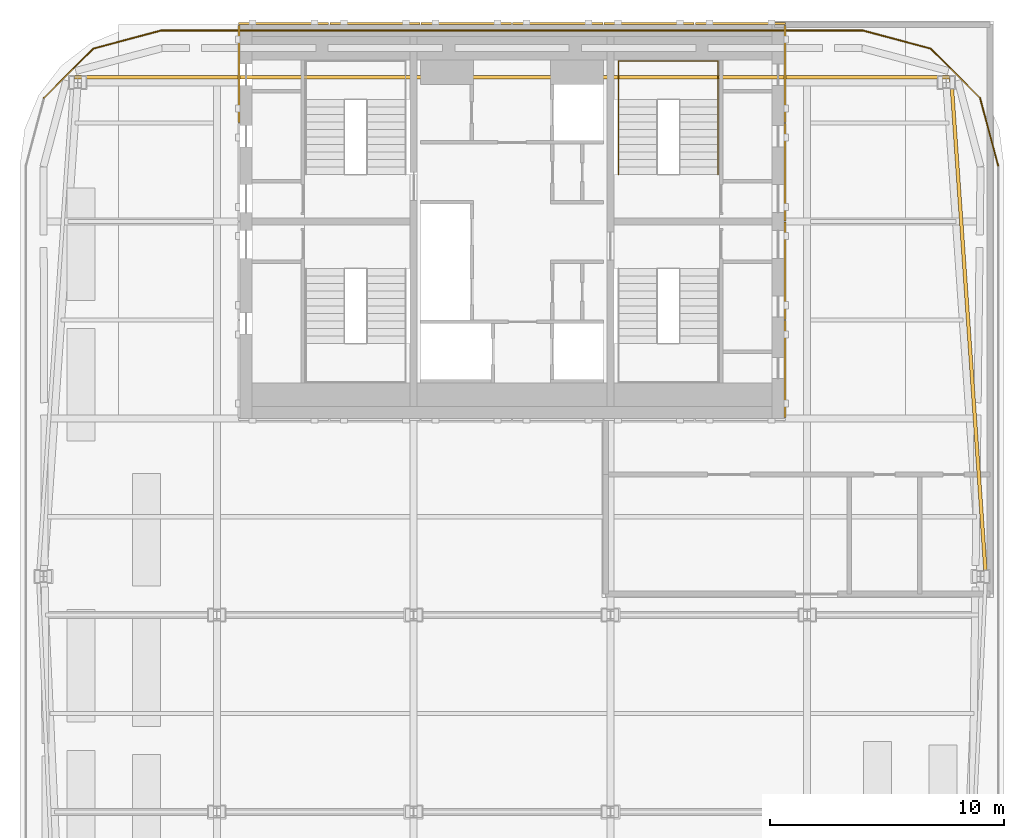
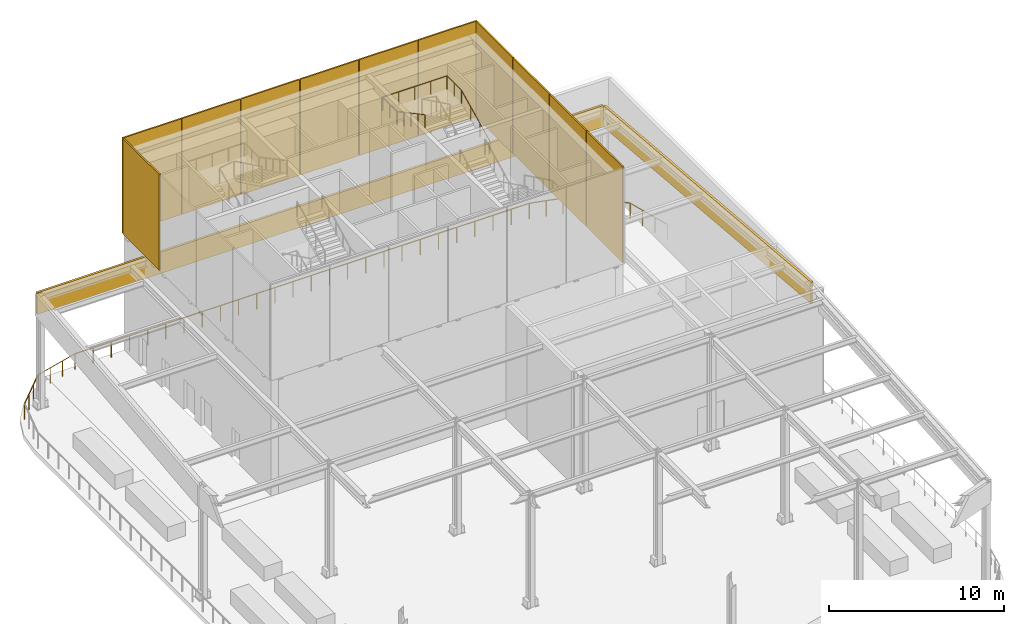
# One storey, part 14 of 14: 11 coverings, 7 railings, 2 shading devices.
"""IFC4 building model written with IfcOpenShell, lengths in metres."""

from ifc_helpers import new_model, si_unit, direction, frame, origin, origin_2d, place, context, subcontext, project, spatial, rectangle, circle, extrude, material, layer, layer_set, type_object, element, save


model = new_model("IFC4")

# Units and contexts
model_context = context("Model", 3, precision=1e-05, world=origin(), true_north=direction((0.0, 1.0)))
body_context = subcontext(model_context, "Body", "Model", "MODEL_VIEW")
ifc_project = project(units=[si_unit("LENGTHUNIT", "METRE"), si_unit("AREAUNIT", "SQUARE_METRE"), si_unit("VOLUMEUNIT", "CUBIC_METRE"), si_unit("PLANEANGLEUNIT", "RADIAN"), si_unit("MASSUNIT", "GRAM", prefix="KILO")], contexts=[model_context])

# Site, building, storey
site_placement = place(None, origin())
site = spatial("IfcSite", under=ifc_project, at=site_placement, CompositionType="ELEMENT")
building_placement = place(site_placement, origin())
building = spatial("IfcBuilding", under=site, at=building_placement, Name="Marenta Gate Hotel Tower", CompositionType="ELEMENT")
storey_placement = place(building_placement, frame((0.0, 0.0, 295.699951171875)))
storey = spatial("IfcBuildingStorey", under=building, at=storey_placement, Name="L67", CompositionType="ELEMENT", Elevation=295.699951171875)

# Railing
ifc_material_1 = material(Name="Stainless steel", Category="steel")
railing_type_1 = type_object("IfcRailingType", Name="Core stair handrail 950", PredefinedType="HANDRAIL", material=ifc_material_1)
railing_1_placement = place(storey_placement, frame((8.800048828125, 10.39990234375, 10.4306640625)))
element("IfcRailing", 1, at=railing_1_placement, inside=storey, type_object=railing_type_1, Name="HR-950 L67-KR-ST4-7", PredefinedType="HANDRAIL", context=body_context, shape_type="SweptSolid", body=[
    extrude(circle(Radius=0.02392578125, at=origin_2d()), frame((0.0, 0.0, 0.92578125), z_axis=(0.0, 0.899231441842, 0.437473215184), x_axis=(-1.0, 0.0, 0.0)), (0.0, 0.0, 1.0), 3.558837890625),
    extrude(circle(Radius=0.02392578125, at=origin_2d()), frame((0.0, 3.2001953125, 2.48291015625), z_axis=(0.0, 1.0, 0.0), x_axis=(-1.0, 0.0, 0.0)), (0.0, 0.0, 1.0), 1.64990234375),
    extrude(circle(Radius=0.02392578125, at=origin_2d()), frame((0.0, 4.85009765625, 2.48291015625), z_axis=(-1.0, 0.0, 0.0), x_axis=(0.0, -1.0, 0.0)), (0.0, 0.0, 1.0), 4.25),
    extrude(circle(Radius=0.02392578125, at=origin_2d()), frame((-4.25, 4.85009765625, 2.48291015625), z_axis=(0.0, -1.0, 0.0), x_axis=(1.0, 0.0, 0.0)), (0.0, 0.0, 1.0), 1.64990234375),
    extrude(circle(Radius=0.02392578125, at=origin_2d()), frame((-4.25, 3.2001953125, 2.48291015625), z_axis=(0.0, -0.881707861185, 0.47179576887), x_axis=(1.0, 0.0, 0.0)), (0.0, 0.0, 1.0), 3.629638671875),
    extrude(circle(Radius=0.02099609375, at=origin_2d()), origin(), (0.0, 0.0, 1.0), 0.90185546875),
    extrude(circle(Radius=0.02099609375, at=origin_2d()), frame((0.0, 1.066650390625, 0.51904296875)), (0.0, 0.0, 1.0), 0.90185546875),
    extrude(circle(Radius=0.02099609375, at=origin_2d()), frame((0.0, 2.133544921875, 1.037841796875)), (0.0, 0.0, 1.0), 0.90185546875),
    extrude(circle(Radius=0.02099609375, at=origin_2d()), frame((0.0, 3.2001953125, 1.556884765625)), (0.0, 0.0, 1.0), 0.90185546875),
    extrude(circle(Radius=0.02099609375, at=origin_2d()), frame((0.0, 4.025146484375, 1.556884765625)), (0.0, 0.0, 1.0), 0.90185546875),
    extrude(circle(Radius=0.02099609375, at=origin_2d()), frame((0.0, 4.85009765625, 1.556884765625)), (0.0, 0.0, 1.0), 0.90185546875),
    extrude(circle(Radius=0.02099609375, at=origin_2d()), frame((-1.0625, 4.85009765625, 1.556884765625)), (0.0, 0.0, 1.0), 0.90185546875),
    extrude(circle(Radius=0.02099609375, at=origin_2d()), frame((-2.125, 4.85009765625, 1.556884765625)), (0.0, 0.0, 1.0), 0.90185546875),
    extrude(circle(Radius=0.02099609375, at=origin_2d()), frame((-3.1875, 4.85009765625, 1.556884765625)), (0.0, 0.0, 1.0), 0.90185546875),
    extrude(circle(Radius=0.02099609375, at=origin_2d()), frame((-4.25, 4.85009765625, 1.556884765625)), (0.0, 0.0, 1.0), 0.90185546875),
    extrude(circle(Radius=0.02099609375, at=origin_2d()), frame((-4.25, 4.025146484375, 1.556884765625)), (0.0, 0.0, 1.0), 0.90185546875),
    extrude(circle(Radius=0.02099609375, at=origin_2d()), frame((-4.25, 3.2001953125, 1.556884765625)), (0.0, 0.0, 1.0), 0.90185546875),
    extrude(circle(Radius=0.02099609375, at=origin_2d()), frame((-4.25, 2.400146484375, 1.98486328125)), (0.0, 0.0, 1.0), 0.90185546875),
    extrude(circle(Radius=0.02099609375, at=origin_2d()), frame((-4.25, 1.60009765625, 2.4130859375)), (0.0, 0.0, 1.0), 0.90185546875),
    extrude(circle(Radius=0.02099609375, at=origin_2d()), frame((-4.25, 0.800048828125, 2.84130859375)), (0.0, 0.0, 1.0), 0.90185546875),
    extrude(circle(Radius=0.02099609375, at=origin_2d()), frame((-4.25, 0.0, 3.269287109375)), (0.0, 0.0, 1.0), 0.90185546875),
])

# Coverings
ifc_material_2 = material(Name="Bronze anodised aluminium louvre", Category="aluminium")
ifc_layer_1 = layer(ifc_material_2, 0.10009765625)
ifc_layer_set_1 = layer_set([ifc_layer_1], Name="Bronze anodised aluminium louvre")
covering_type = type_object("IfcCoveringType", Name="Core top louvre cladding panel 100 mm", PredefinedType="CLADDING", material=ifc_layer_set_1)
for number, where, z_axis, x_axis, name in (
    (2, (11.64990234375, 2.10009765625, 8.1201171875), (0.0, 0.0, 1.0), (1.0, 0.0, 0.0), "Core top louvre cladding"),
    (3, (11.64990234375, 6.300048828125, 8.1201171875), (0.0, 0.0, 1.0), (1.0, 0.0, 0.0), "Core top louvre cladding"),
    (4, (11.64990234375, 10.5, 8.1201171875), (0.0, 0.0, 1.0), (1.0, 0.0, 0.0), "Core top louvre cladding"),
    (5, (11.64990234375, 14.699951171875, 8.1201171875), (0.0, 0.0, 1.0), (1.0, 0.0, 0.0), "Core top louvre cladding"),
    (6, (-11.64990234375, 14.699951171875, 8.1201171875), (0.0, 0.0, 1.0), (1.0, 0.0, 0.0), "Core top louvre cladding"),
):
    element("IfcCovering", number, at=place(storey_placement, frame(where, z_axis=z_axis, x_axis=x_axis)), inside=storey, type_object=covering_type, Name=name, PredefinedType="CLADDING", context=body_context, shape_type="SweptSolid", body=[
        extrude(rectangle(XDim=0.10009765625, YDim=4.14990234375, at=origin_2d()), origin(), (0.0, 0.0, 1.0), 6.679931640625),
    ])
for number, where, z_axis, x_axis, name in (
    (7, (-9.75, 16.85009765625, 8.1201171875), (0.0, 0.0, 1.0), (1.0, 0.0, 0.0), "Core top louvre cladding"),
    (8, (-5.85009765625, 16.85009765625, 8.1201171875), (0.0, 0.0, 1.0), (1.0, 0.0, 0.0), "Core top louvre cladding"),
    (9, (-1.949951171875, 16.85009765625, 8.1201171875), (0.0, 0.0, 1.0), (1.0, 0.0, 0.0), "Core top louvre cladding"),
    (10, (1.949951171875, 16.85009765625, 8.1201171875), (0.0, 0.0, 1.0), (1.0, 0.0, 0.0), "Core top louvre cladding"),
    (11, (5.85009765625, 16.85009765625, 8.1201171875), (0.0, 0.0, 1.0), (1.0, 0.0, 0.0), "Core top louvre cladding"),
    (12, (9.75, 16.85009765625, 8.1201171875), (0.0, 0.0, 1.0), (1.0, 0.0, 0.0), "Core top louvre cladding"),
):
    element("IfcCovering", number, at=place(storey_placement, frame(where, z_axis=z_axis, x_axis=x_axis)), inside=storey, type_object=covering_type, Name=name, PredefinedType="CLADDING", context=body_context, shape_type="SweptSolid", body=[
        extrude(rectangle(XDim=3.85009765625, YDim=0.10009765625, at=origin_2d()), origin(), (0.0, 0.0, 1.0), 6.679931640625),
    ])

# Shading devices
ifc_material_3 = material(Name="Bronze anodised aluminium screen", Category="aluminium")
ifc_layer_2 = layer(ifc_material_3, 0.14990234375)
ifc_layer_set_2 = layer_set([ifc_layer_2], Name="Bronze anodised aluminium screen")
shading_device_type = type_object("IfcShadingDeviceType", Name="Crown bronze screen 150 mm", PredefinedType="USERDEFINED", material=ifc_layer_set_2)
shading_device_1_placement = place(storey_placement, frame((0.0, 14.560546875, 6.35009765625), z_axis=(0.0, 0.0, 1.0), x_axis=(1.0, 0.0, 0.0)))
element("IfcShadingDevice", 13, at=shading_device_1_placement, inside=storey, type_object=shading_device_type, Name="CS1 Crown bronze screen", ObjectType="SCREEN", PredefinedType="USERDEFINED", context=body_context, shape_type="SweptSolid", body=[
    extrude(rectangle(XDim=37.330810546875, YDim=0.14990234375, at=origin_2d()), origin(), (0.0, 0.0, 1.0), 1.5),
])
shading_device_2_placement = place(storey_placement, frame((19.4853515625, 3.906494140625, 6.35009765625), z_axis=(0.0, 0.0, 1.0), x_axis=(0.069288116167, -0.997596690531, 0.0)))
element("IfcShadingDevice", 14, at=shading_device_2_placement, inside=storey, type_object=shading_device_type, Name="CS1 Crown bronze screen", ObjectType="SCREEN", PredefinedType="USERDEFINED", context=body_context, shape_type="SweptSolid", body=[
    extrude(rectangle(XDim=21.19921875, YDim=0.14990234375, at=origin_2d()), origin(), (0.0, 0.0, 1.0), 1.5),
])

# Railings
ifc_material_4 = material(Name="Stainless steel", Category="steel")
railing_type_2 = type_object("IfcRailingType", Name="Guard 1100 stainless balustrade", PredefinedType="GUARDRAIL", material=ifc_material_4)
railing_2_placement = place(storey_placement, frame((20.75, 10.78369140625, 0.0)))
element("IfcRailing", 15, at=railing_2_placement, inside=storey, type_object=railing_type_2, Name="Garden guard", PredefinedType="GUARDRAIL", context=body_context, shape_type="SweptSolid", body=[
    extrude(circle(Radius=0.02392578125, at=origin_2d()), frame((0.0, 0.0, 1.076171875), z_axis=(-0.25813501433, 0.96610885224, 0.0), x_axis=(-0.96610885224, -0.25813501433, 0.0)), (0.0, 0.0, 1.0), 2.991455078125),
    extrude(circle(Radius=0.02099609375, at=origin_2d()), origin(), (0.0, 0.0, 1.0), 1.052001953125),
    extrude(circle(Radius=0.02099609375, at=origin_2d()), frame((-0.25732421875, 0.96337890625, 0.0)), (0.0, 0.0, 1.0), 1.052001953125),
    extrude(circle(Radius=0.02099609375, at=origin_2d()), frame((-0.514892578125, 1.9267578125, 0.0)), (0.0, 0.0, 1.0), 1.052001953125),
    extrude(circle(Radius=0.02099609375, at=origin_2d()), frame((-0.772216796875, 2.89013671875, 0.0)), (0.0, 0.0, 1.0), 1.052001953125),
])
railing_3_placement = place(storey_placement, frame((19.977783203125, 13.673828125, 0.0)))
element("IfcRailing", 16, at=railing_3_placement, inside=storey, type_object=railing_type_2, Name="Garden guard", PredefinedType="GUARDRAIL", context=body_context, shape_type="SweptSolid", body=[
    extrude(circle(Radius=0.02392578125, at=origin_2d()), frame((0.0, 0.0, 1.076171875), z_axis=(-0.707106781187, 0.707106781187, 0.0), x_axis=(-0.707106781187, -0.707106781187, 0.0)), (0.0, 0.0, 1.0), 2.9755859375),
    extrude(circle(Radius=0.02099609375, at=origin_2d()), origin(), (0.0, 0.0, 1.0), 1.052001953125),
    extrude(circle(Radius=0.02099609375, at=origin_2d()), frame((-0.701416015625, 0.701416015625, 0.0)), (0.0, 0.0, 1.0), 1.052001953125),
    extrude(circle(Radius=0.02099609375, at=origin_2d()), frame((-1.402587890625, 1.402587890625, 0.0)), (0.0, 0.0, 1.0), 1.052001953125),
    extrude(circle(Radius=0.02099609375, at=origin_2d()), frame((-2.10400390625, 2.10400390625, 0.0)), (0.0, 0.0, 1.0), 1.052001953125),
])
railing_4_placement = place(storey_placement, frame((17.873779296875, 15.77783203125, 0.0)))
element("IfcRailing", 17, at=railing_4_placement, inside=storey, type_object=railing_type_2, Name="Garden guard", PredefinedType="GUARDRAIL", context=body_context, shape_type="SweptSolid", body=[
    extrude(circle(Radius=0.02392578125, at=origin_2d()), frame((0.0, 0.0, 1.076171875), z_axis=(-0.96610885224, 0.25813501433, 0.0), x_axis=(-0.25813501433, -0.96610885224, 0.0)), (0.0, 0.0, 1.0), 2.991455078125),
    extrude(circle(Radius=0.02099609375, at=origin_2d()), origin(), (0.0, 0.0, 1.0), 1.052001953125),
    extrude(circle(Radius=0.02099609375, at=origin_2d()), frame((-0.96337890625, 0.25732421875, 0.0)), (0.0, 0.0, 1.0), 1.052001953125),
    extrude(circle(Radius=0.02099609375, at=origin_2d()), frame((-1.9267578125, 0.514892578125, 0.0)), (0.0, 0.0, 1.0), 1.052001953125),
    extrude(circle(Radius=0.02099609375, at=origin_2d()), frame((-2.89013671875, 0.772216796875, 0.0)), (0.0, 0.0, 1.0), 1.052001953125),
])
railing_5_placement = place(storey_placement, frame((14.983642578125, 16.550048828125, 0.0)))
element("IfcRailing", 18, at=railing_5_placement, inside=storey, type_object=railing_type_2, Name="Garden guard", PredefinedType="GUARDRAIL", context=body_context, shape_type="SweptSolid", body=[
    extrude(circle(Radius=0.02392578125, at=origin_2d()), frame((0.0, 0.0, 1.076171875), z_axis=(-1.0, 0.0, 0.0), x_axis=(0.0, -1.0, 0.0)), (0.0, 0.0, 1.0), 29.96728515625),
    extrude(circle(Radius=0.02099609375, at=origin_2d()), origin(), (0.0, 0.0, 1.0), 1.052001953125),
    extrude(circle(Radius=0.02099609375, at=origin_2d()), frame((-1.19873046875, 0.0, 0.0)), (0.0, 0.0, 1.0), 1.052001953125),
    extrude(circle(Radius=0.02099609375, at=origin_2d()), frame((-2.3974609375, 0.0, 0.0)), (0.0, 0.0, 1.0), 1.052001953125),
    extrude(circle(Radius=0.02099609375, at=origin_2d()), frame((-3.59619140625, 0.0, 0.0)), (0.0, 0.0, 1.0), 1.052001953125),
    extrude(circle(Radius=0.02099609375, at=origin_2d()), frame((-4.794677734375, 0.0, 0.0)), (0.0, 0.0, 1.0), 1.052001953125),
    extrude(circle(Radius=0.02099609375, at=origin_2d()), frame((-5.993408203125, 0.0, 0.0)), (0.0, 0.0, 1.0), 1.052001953125),
    extrude(circle(Radius=0.02099609375, at=origin_2d()), frame((-7.192138671875, 0.0, 0.0)), (0.0, 0.0, 1.0), 1.052001953125),
    extrude(circle(Radius=0.02099609375, at=origin_2d()), frame((-8.390869140625, 0.0, 0.0)), (0.0, 0.0, 1.0), 1.052001953125),
    extrude(circle(Radius=0.02099609375, at=origin_2d()), frame((-9.589599609375, 0.0, 0.0)), (0.0, 0.0, 1.0), 1.052001953125),
    extrude(circle(Radius=0.02099609375, at=origin_2d()), frame((-10.788330078125, 0.0, 0.0)), (0.0, 0.0, 1.0), 1.052001953125),
    extrude(circle(Radius=0.02099609375, at=origin_2d()), frame((-11.98681640625, 0.0, 0.0)), (0.0, 0.0, 1.0), 1.052001953125),
    extrude(circle(Radius=0.02099609375, at=origin_2d()), frame((-13.185546875, 0.0, 0.0)), (0.0, 0.0, 1.0), 1.052001953125),
    extrude(circle(Radius=0.02099609375, at=origin_2d()), frame((-14.38427734375, 0.0, 0.0)), (0.0, 0.0, 1.0), 1.052001953125),
    extrude(circle(Radius=0.02099609375, at=origin_2d()), frame((-15.5830078125, 0.0, 0.0)), (0.0, 0.0, 1.0), 1.052001953125),
    extrude(circle(Radius=0.02099609375, at=origin_2d()), frame((-16.78173828125, 0.0, 0.0)), (0.0, 0.0, 1.0), 1.052001953125),
    extrude(circle(Radius=0.02099609375, at=origin_2d()), frame((-17.98046875, 0.0, 0.0)), (0.0, 0.0, 1.0), 1.052001953125),
    extrude(circle(Radius=0.02099609375, at=origin_2d()), frame((-19.178955078125, 0.0, 0.0)), (0.0, 0.0, 1.0), 1.052001953125),
    extrude(circle(Radius=0.02099609375, at=origin_2d()), frame((-20.377685546875, 0.0, 0.0)), (0.0, 0.0, 1.0), 1.052001953125),
    extrude(circle(Radius=0.02099609375, at=origin_2d()), frame((-21.576416015625, 0.0, 0.0)), (0.0, 0.0, 1.0), 1.052001953125),
    extrude(circle(Radius=0.02099609375, at=origin_2d()), frame((-22.775146484375, 0.0, 0.0)), (0.0, 0.0, 1.0), 1.052001953125),
    extrude(circle(Radius=0.02099609375, at=origin_2d()), frame((-23.973876953125, 0.0, 0.0)), (0.0, 0.0, 1.0), 1.052001953125),
    extrude(circle(Radius=0.02099609375, at=origin_2d()), frame((-25.172607421875, 0.0, 0.0)), (0.0, 0.0, 1.0), 1.052001953125),
    extrude(circle(Radius=0.02099609375, at=origin_2d()), frame((-26.37109375, 0.0, 0.0)), (0.0, 0.0, 1.0), 1.052001953125),
    extrude(circle(Radius=0.02099609375, at=origin_2d()), frame((-27.56982421875, 0.0, 0.0)), (0.0, 0.0, 1.0), 1.052001953125),
    extrude(circle(Radius=0.02099609375, at=origin_2d()), frame((-28.7685546875, 0.0, 0.0)), (0.0, 0.0, 1.0), 1.052001953125),
    extrude(circle(Radius=0.02099609375, at=origin_2d()), frame((-29.96728515625, 0.0, 0.0)), (0.0, 0.0, 1.0), 1.052001953125),
])
railing_6_placement = place(storey_placement, frame((-14.983642578125, 16.550048828125, 0.0)))
element("IfcRailing", 19, at=railing_6_placement, inside=storey, type_object=railing_type_2, Name="Garden guard", PredefinedType="GUARDRAIL", context=body_context, shape_type="SweptSolid", body=[
    extrude(circle(Radius=0.02392578125, at=origin_2d()), frame((0.0, 0.0, 1.076171875), z_axis=(-0.96610885224, -0.25813501433, 0.0), x_axis=(0.25813501433, -0.96610885224, 0.0)), (0.0, 0.0, 1.0), 2.991455078125),
    extrude(circle(Radius=0.02099609375, at=origin_2d()), origin(), (0.0, 0.0, 1.0), 1.052001953125),
    extrude(circle(Radius=0.02099609375, at=origin_2d()), frame((-0.96337890625, -0.25732421875, 0.0)), (0.0, 0.0, 1.0), 1.052001953125),
    extrude(circle(Radius=0.02099609375, at=origin_2d()), frame((-1.9267578125, -0.514892578125, 0.0)), (0.0, 0.0, 1.0), 1.052001953125),
    extrude(circle(Radius=0.02099609375, at=origin_2d()), frame((-2.89013671875, -0.772216796875, 0.0)), (0.0, 0.0, 1.0), 1.052001953125),
])
railing_7_placement = place(storey_placement, frame((-17.873779296875, 15.77783203125, 0.0)))
element("IfcRailing", 20, at=railing_7_placement, inside=storey, type_object=railing_type_2, Name="Garden guard", PredefinedType="GUARDRAIL", context=body_context, shape_type="SweptSolid", body=[
    extrude(circle(Radius=0.02392578125, at=origin_2d()), frame((0.0, 0.0, 1.076171875), z_axis=(-0.707106781187, -0.707106781187, 0.0), x_axis=(0.707106781187, -0.707106781187, 0.0)), (0.0, 0.0, 1.0), 2.9755859375),
    extrude(circle(Radius=0.02099609375, at=origin_2d()), origin(), (0.0, 0.0, 1.0), 1.052001953125),
    extrude(circle(Radius=0.02099609375, at=origin_2d()), frame((-0.701416015625, -0.701416015625, 0.0)), (0.0, 0.0, 1.0), 1.052001953125),
    extrude(circle(Radius=0.02099609375, at=origin_2d()), frame((-1.402587890625, -1.402587890625, 0.0)), (0.0, 0.0, 1.0), 1.052001953125),
    extrude(circle(Radius=0.02099609375, at=origin_2d()), frame((-2.10400390625, -2.10400390625, 0.0)), (0.0, 0.0, 1.0), 1.052001953125),
])

save(model, "model.ifc")
